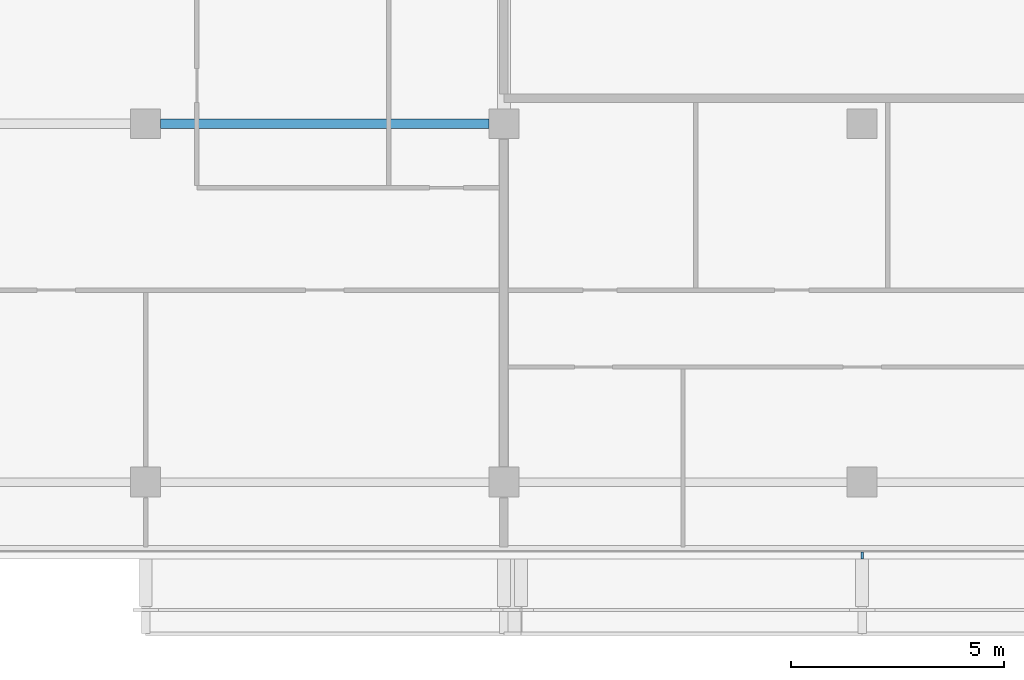
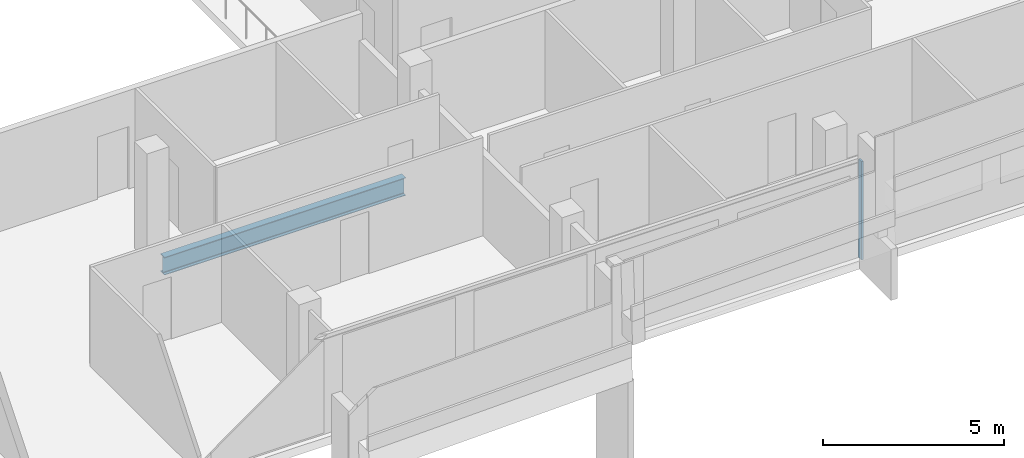
# One storey, part 6 of 28: 1 beam, 1 member, 1 element without a shape of its own.
"""IFC4 building model written with IfcOpenShell, lengths in metres."""

from ifc_helpers import new_model, si_unit, direction, frame, origin, origin_2d, place, context, subcontext, project, spatial, rectangle, i_section, extrude, material, material_profile, profile_set, type_object, element, aggregate, save


model = new_model("IFC4")

# Units and contexts
model_context = context("Model", 3, precision=1e-05, world=origin(), true_north=direction((0.0, 1.0)))
body_context = subcontext(model_context, "Body", "Model", "MODEL_VIEW")
ifc_project = project(units=[si_unit("LENGTHUNIT", "METRE"), si_unit("AREAUNIT", "SQUARE_METRE"), si_unit("VOLUMEUNIT", "CUBIC_METRE"), si_unit("PLANEANGLEUNIT", "RADIAN"), si_unit("MASSUNIT", "GRAM", prefix="KILO")], contexts=[model_context])

# Site, building, storey
site_placement = place(None, origin())
site = spatial("IfcSite", under=ifc_project, at=site_placement, CompositionType="ELEMENT")
building_placement = place(site_placement, origin())
building = spatial("IfcBuilding", under=site, at=building_placement, Name="Saffron Gate Tower", CompositionType="ELEMENT")
storey_placement = place(building_placement, frame((0.0, 0.0, 154.64990234375)))
storey = spatial("IfcBuildingStorey", under=building, at=storey_placement, Name="L37", CompositionType="ELEMENT", Elevation=154.64990234375)

# Beam
ifc_material_1 = material(Name="Structural steel S355", Category="steel")
ifc_material_profile_1 = material_profile(ifc_material_1, i_section(OverallWidth=0.219970703125, OverallDepth=0.60009765625, WebThickness=0.011962890625, FlangeThickness=0.01904296875, FilletRadius=0.02392578125, at=origin_2d()))
ifc_profile_set_1 = profile_set([ifc_material_profile_1], Name="Structural steel S355")
beam_type = type_object("IfcBeamType", Name="B15 IPE 600", PredefinedType="BEAM", material=ifc_profile_set_1)
beam_placement = place(storey_placement, frame((92.14990234375, 40.199951171875, -0.579833984375), z_axis=(1.0, 0.0, 0.0), x_axis=(0.0, 1.0, 0.0)))
element("IfcBeam", 1, at=beam_placement, inside=storey, type_object=beam_type, Name="B15 FLOOR GIRDER", PredefinedType="BEAM", context=body_context, shape_type="SweptSolid", body=[
    extrude(i_section(OverallWidth=0.219970703125, OverallDepth=0.60009765625, WebThickness=0.011962890625, FlangeThickness=0.01904296875, FilletRadius=0.02392578125, at=origin_2d()), origin(), (0.0, 0.0, 1.0), 7.7001953125),
])

# Curtain wall, member
ifc_material_2 = material(Name="Aluminium, bronze anodised", Category="aluminium")
curtain_wall_type = type_object("IfcCurtainWallType", Name="CWS1 curtain wall front facade", PredefinedType="NOTDEFINED", material=ifc_material_2)
curtain_wall_placement = place(storey_placement, origin())
curtain_wall = element("IfcCurtainWall", 2, at=curtain_wall_placement, inside=storey, type_object=curtain_wall_type, Name="CWS1 run 1", PredefinedType="NOTDEFINED")
ifc_material_profile_2 = material_profile(ifc_material_2, rectangle(XDim=0.159912109375, YDim=0.06005859375, at=origin_2d()))
ifc_profile_set_2 = profile_set([ifc_material_profile_2], Name="Aluminium, bronze anodised")
member_type = type_object("IfcMemberType", Name="CWS1 mullion 60x160", PredefinedType="MULLION", material=ifc_profile_set_2)
member_placement = place(storey_placement, frame((108.60009765625, 30.080078125, 0.0), z_axis=(0.0, 0.0, 1.0), x_axis=(0.0, 1.0, 0.0)))
member = element("IfcMember", 3, at=member_placement, type_object=member_type, Name="CWS1 mullion 8", PredefinedType="MULLION", context=body_context, shape_type="SweptSolid", body=[
    extrude(rectangle(XDim=0.159912109375, YDim=0.06005859375, at=origin_2d()), origin(), (0.0, 0.0, 1.0), 3.320068359375),
])
aggregate(curtain_wall, [member])

save(model, "model.ifc")
